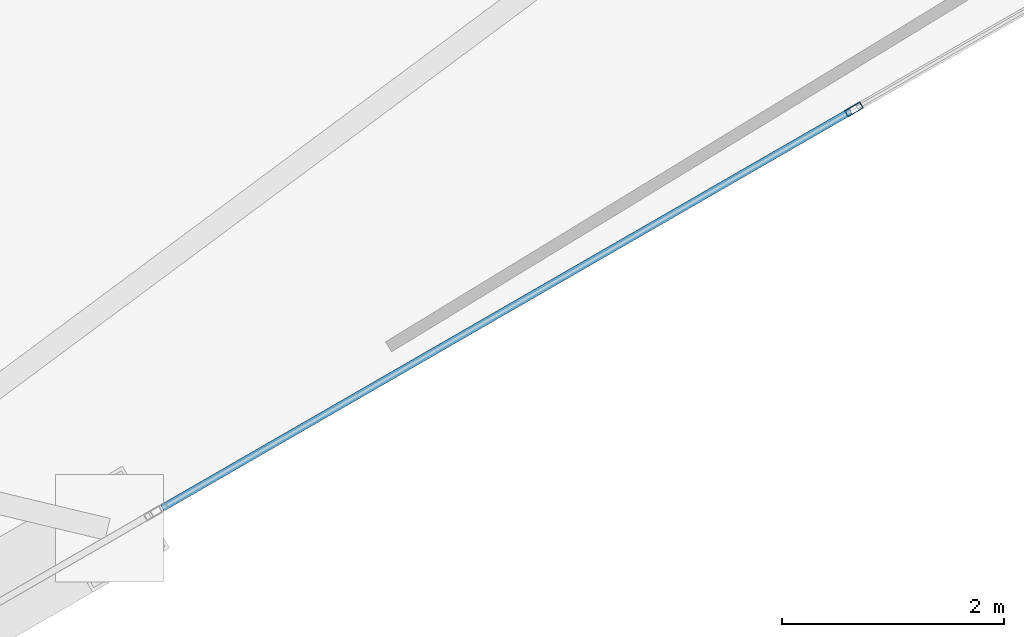
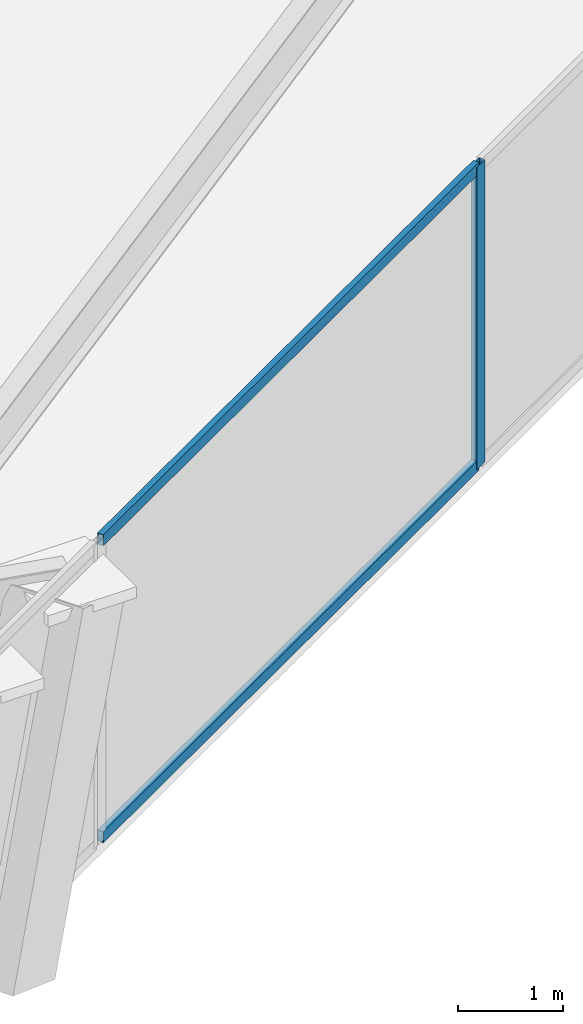
# One storey, part 7 of 22: 3 members, 1 element without a shape of its own.
"""IFC4 building model written with IfcOpenShell, lengths in metres."""

from ifc_helpers import new_model, si_unit, direction, frame, origin, origin_2d, place, context, subcontext, project, spatial, hollow_rectangle, extrude, material, layer, layer_set, material_profile, profile_set, type_object, element, aggregate, save


model = new_model("IFC4")

# Units and contexts
model_context = context("Model", 3, precision=1e-05, world=origin(), true_north=direction((0.0, 1.0)))
body_context = subcontext(model_context, "Body", "Model", "MODEL_VIEW")
ifc_project = project(units=[si_unit("LENGTHUNIT", "METRE"), si_unit("AREAUNIT", "SQUARE_METRE"), si_unit("VOLUMEUNIT", "CUBIC_METRE"), si_unit("PLANEANGLEUNIT", "RADIAN"), si_unit("MASSUNIT", "GRAM", prefix="KILO")], contexts=[model_context])

# Site, building, storey
site_placement = place(None, origin())
site = spatial("IfcSite", under=ifc_project, at=site_placement, CompositionType="ELEMENT")
building_placement = place(site_placement, origin())
building = spatial("IfcBuilding", under=site, at=building_placement, Name="Qianvela Tower", CompositionType="ELEMENT")
storey_placement = place(building_placement, frame((0.0, 0.0, 169.800048828125)))
storey = spatial("IfcBuildingStorey", under=building, at=storey_placement, Name="L43", CompositionType="ELEMENT", Elevation=169.800048828125)

# Curtain wall, members
ifc_material_1 = material(Name="Anodised Architectural Aluminium and Low-E Glass", Category="aluminium")
ifc_layer = layer(ifc_material_1, 0.169921875)
ifc_layer_set = layer_set([ifc_layer], Name="Anodised Architectural Aluminium and Low-E Glass")
curtain_wall_type = type_object("IfcCurtainWallType", Name="CW-COLIV-Z34", PredefinedType="USERDEFINED", material=ifc_layer_set)
curtain_wall_placement = place(storey_placement, origin())
curtain_wall = element("IfcCurtainWall", 1, at=curtain_wall_placement, inside=storey, type_object=curtain_wall_type, Name="L43 CW-COLIV-Z34 Curtain Wall 06C", ObjectType="CURTAIN_WALL_SYSTEM", PredefinedType="USERDEFINED")
ifc_material_2 = material(Name="Anodised Architectural Aluminium 6063-T6", Category="aluminium")
ifc_material_profile_1 = material_profile(ifc_material_2, hollow_rectangle(XDim=0.06494140625, YDim=0.159912109375, WallThickness=0.0048828125, at=origin_2d()), Name="ALU-MULL-65x160")
ifc_profile_set_1 = profile_set([ifc_material_profile_1], Name="Anodised Architectural Aluminium 6063-T6")
member_type_1 = type_object("IfcMemberType", Name="CW-COLIV-Z34-MULL", PredefinedType="MULLION", material=ifc_profile_set_1)
member_1_placement = place(storey_placement, frame((52.299072265625, 20.56884765625, 0.0), z_axis=(0.0, 0.0, 1.0), x_axis=(-0.499289940682, 0.866434968785, 0.0)))
member_1 = element("IfcMember", 2, at=member_1_placement, type_object=member_type_1, Name="CW-4 mullion 2", PredefinedType="MULLION", context=body_context, shape_type="SweptSolid", body=[
    extrude(hollow_rectangle(XDim=0.06494140625, YDim=0.159912109375, WallThickness=0.0048828125, at=origin_2d()), origin(), (0.0, 0.0, 1.0), 3.52001953125),
])
ifc_material_3 = material(Name="Anodised Architectural Aluminium 6063-T6", Category="aluminium")
ifc_material_profile_2 = material_profile(ifc_material_3, hollow_rectangle(XDim=0.06494140625, YDim=0.1298828125, WallThickness=0.00439453125, at=origin_2d()), Name="ALU-TRAN-65x130")
ifc_profile_set_2 = profile_set([ifc_material_profile_2], Name="Anodised Architectural Aluminium 6063-T6")
member_type_2 = type_object("IfcMemberType", Name="CW-COLIV-Z34-TRAN", PredefinedType="USERDEFINED", material=ifc_profile_set_2)
member_2_placement = place(storey_placement, frame((46.07080078125, 16.979736328125, 0.032470703125), z_axis=(0.866429714811, 0.499299057972, 0.0), x_axis=(-0.499299057972, 0.866429714811, 0.0)))
member_2 = element("IfcMember", 3, at=member_2_placement, type_object=member_type_2, Name="CW-4 transom 1.1", ObjectType="TRANSOM", PredefinedType="USERDEFINED", context=body_context, shape_type="SweptSolid", body=[
    extrude(hollow_rectangle(XDim=0.06494140625, YDim=0.1298828125, WallThickness=0.00439453125, at=origin_2d()), origin(), (0.0, 0.0, 1.0), 7.156005859375),
])
member_3_placement = place(storey_placement, frame((46.07080078125, 16.979736328125, 3.487548828125), z_axis=(0.866429714811, 0.499299057972, 0.0), x_axis=(-0.499299057972, 0.866429714811, 0.0)))
member_3 = element("IfcMember", 4, at=member_3_placement, type_object=member_type_2, Name="CW-4 transom 1.2", ObjectType="TRANSOM", PredefinedType="USERDEFINED", context=body_context, shape_type="SweptSolid", body=[
    extrude(hollow_rectangle(XDim=0.06494140625, YDim=0.1298828125, WallThickness=0.00439453125, at=origin_2d()), origin(), (0.0, 0.0, 1.0), 7.156005859375),
])
aggregate(curtain_wall, [member_1, member_2, member_3])

save(model, "model.ifc")
